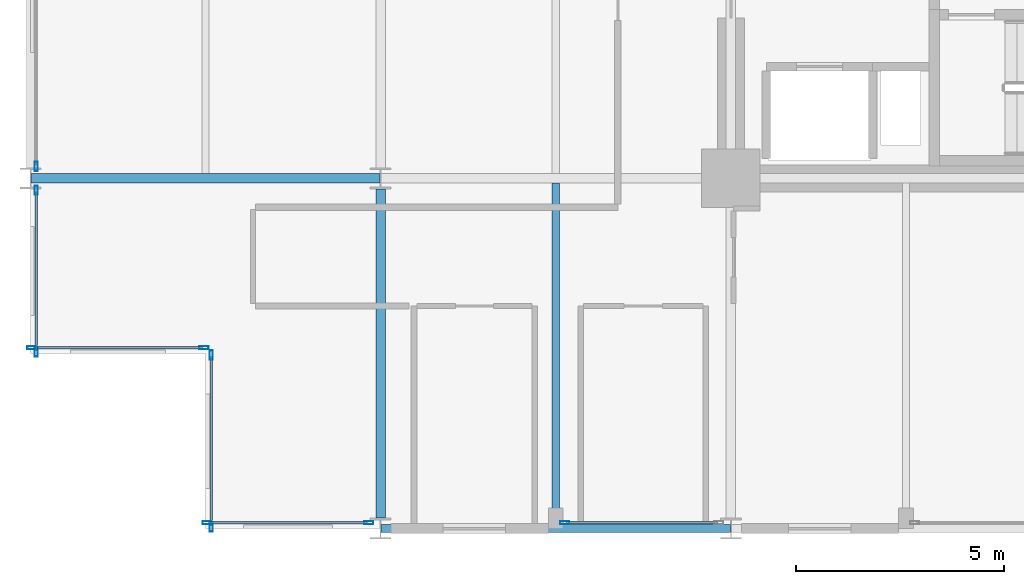
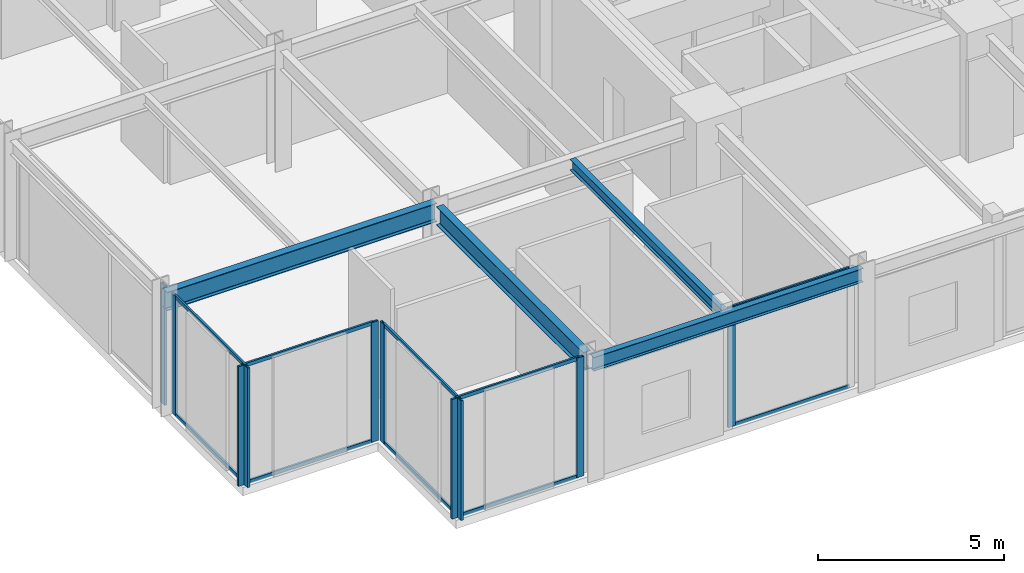
# One storey, part 2 of 24: 20 members, 4 beams, 6 elements without a shape of their own.
"""IFC4 building model written with IfcOpenShell, lengths in metres."""

from ifc_helpers import new_model, si_unit, direction, frame, origin, origin_2d, place, context, subcontext, project, spatial, hollow_rectangle, i_section, extrude, material, layer, layer_set, material_profile, profile_set, type_object, element, aggregate, save


model = new_model("IFC4")

# Units and contexts
model_context = context("Model", 3, precision=1e-05, world=origin(), true_north=direction((0.0, 1.0)))
body_context = subcontext(model_context, "Body", "Model", "MODEL_VIEW")
ifc_project = project(units=[si_unit("LENGTHUNIT", "METRE"), si_unit("AREAUNIT", "SQUARE_METRE"), si_unit("VOLUMEUNIT", "CUBIC_METRE"), si_unit("PLANEANGLEUNIT", "RADIAN"), si_unit("MASSUNIT", "GRAM", prefix="KILO")], contexts=[model_context])

# Site, building, storey
site_placement = place(None, origin())
site = spatial("IfcSite", under=ifc_project, at=site_placement, CompositionType="ELEMENT")
building_placement = place(site_placement, origin())
building = spatial("IfcBuilding", under=site, at=building_placement, Name="Nerrivon Quay Data Exchange", CompositionType="ELEMENT")
storey_placement = place(building_placement, frame((0.0, 0.0, 45.800048828125)))
storey = spatial("IfcBuildingStorey", under=building, at=storey_placement, Name="L10", CompositionType="ELEMENT", Elevation=45.800048828125)

# Beams
ifc_material_1 = material(Name="Steel Grade 350", Category="steel")
ifc_material_profile_1 = material_profile(ifc_material_1, i_section(OverallWidth=0.22900390625, OverallDepth=0.612060546875, WebThickness=0.011962890625, FlangeThickness=0.01953125, FilletRadius=0.013916015625, at=origin_2d()), Name="610UB125")
ifc_profile_set_1 = profile_set([ifc_material_profile_1], Name="Steel Grade 350")
beam_type_1 = type_object("IfcBeamType", Name="BM-G1-610UB125", PredefinedType="BEAM", material=ifc_profile_set_1)
beam_1_placement = place(storey_placement, frame((0.013916015625, 8.39990234375, 3.618896484375), z_axis=(1.0, 0.0, 0.0), x_axis=(0.0, 1.0, 0.0)))
element("IfcBeam", 1, at=beam_1_placement, inside=storey, type_object=beam_type_1, Name="L10 EW Girder Y=8.4 (0.0..8.4)", PredefinedType="BEAM", context=body_context, shape_type="SweptSolid", body=[
    extrude(i_section(OverallWidth=0.22900390625, OverallDepth=0.612060546875, WebThickness=0.011962890625, FlangeThickness=0.01953125, FilletRadius=0.013916015625, at=origin_2d()), origin(), (0.0, 0.0, 1.0), 8.3720703125),
])
ifc_material_profile_2 = material_profile(ifc_material_1, i_section(OverallWidth=0.22802734375, OverallDepth=0.60205078125, WebThickness=0.010498046875, FlangeThickness=0.014892578125, FilletRadius=0.013916015625, at=origin_2d()), Name="610UB101")
ifc_profile_set_2 = profile_set([ifc_material_profile_2], Name="Steel Grade 350")
beam_type_2 = type_object("IfcBeamType", Name="BM-G2-610UB101", PredefinedType="BEAM", material=ifc_profile_set_2)
beam_2_placement = place(storey_placement, frame((8.39990234375, 0.25, 3.6240234375), z_axis=(0.0, 1.0, 0.0), x_axis=(-1.0, 0.0, 0.0)))
element("IfcBeam", 2, at=beam_2_placement, inside=storey, type_object=beam_type_2, Name="L10 NS Girder X=8.4 (0.0..8.4)", PredefinedType="BEAM", context=body_context, shape_type="SweptSolid", body=[
    extrude(i_section(OverallWidth=0.22802734375, OverallDepth=0.60205078125, WebThickness=0.010498046875, FlangeThickness=0.014892578125, FilletRadius=0.013916015625, at=origin_2d()), origin(), (0.0, 0.0, 1.0), 7.89990234375),
])
ifc_material_profile_3 = material_profile(ifc_material_1, i_section(OverallWidth=0.172119140625, OverallDepth=0.35888671875, WebThickness=0.008056640625, FlangeThickness=0.012939453125, FilletRadius=0.011474609375, at=origin_2d()), Name="360UB56.7")
ifc_profile_set_3 = profile_set([ifc_material_profile_3], Name="Steel Grade 350")
beam_type_3 = type_object("IfcBeamType", Name="BM-J3-360UB57", PredefinedType="JOIST", material=ifc_profile_set_3)
beam_3_placement = place(storey_placement, frame((12.60009765625, 0.094970703125, 3.745361328125), z_axis=(0.0, 1.0, 0.0), x_axis=(-1.0, 0.0, 0.0)))
element("IfcBeam", 3, at=beam_3_placement, inside=storey, type_object=beam_type_3, Name="L10 Secondary Joist X=12.6 (0.0..8.4)", PredefinedType="JOIST", context=body_context, shape_type="SweptSolid", body=[
    extrude(i_section(OverallWidth=0.172119140625, OverallDepth=0.35888671875, WebThickness=0.008056640625, FlangeThickness=0.012939453125, FilletRadius=0.011474609375, at=origin_2d()), origin(), (0.0, 0.0, 1.0), 8.1904296875),
])
ifc_material_profile_4 = material_profile(ifc_material_1, i_section(OverallWidth=0.18994140625, OverallDepth=0.4541015625, WebThickness=0.008544921875, FlangeThickness=0.0126953125, FilletRadius=0.011474609375, at=origin_2d()), Name="460UB67.1")
ifc_profile_set_4 = profile_set([ifc_material_profile_4], Name="Steel Grade 350")
beam_type_4 = type_object("IfcBeamType", Name="BM-SP1-460UB67", PredefinedType="SPANDREL", material=ifc_profile_set_4)
beam_4_placement = place(storey_placement, frame((8.4140625, 0.0, 3.697998046875), z_axis=(1.0, 0.0, 0.0), x_axis=(0.0, 1.0, 0.0)))
element("IfcBeam", 4, at=beam_4_placement, inside=storey, type_object=beam_type_4, Name="L10 EW Girder Y=0.0 (8.4..16.8)", PredefinedType="SPANDREL", context=body_context, shape_type="SweptSolid", body=[
    extrude(i_section(OverallWidth=0.18994140625, OverallDepth=0.4541015625, WebThickness=0.008544921875, FlangeThickness=0.0126953125, FilletRadius=0.011474609375, at=origin_2d()), origin(), (0.0, 0.0, 1.0), 8.371826171875),
])

# Curtain wall, member
ifc_material_2 = material(Name="Anodised aluminium 6063-T6", Category="aluminium")
ifc_layer = layer(ifc_material_2, 0.219970703125)
ifc_layer_set = layer_set([ifc_layer], Name="Anodised aluminium 6063-T6")
curtain_wall_type = type_object("IfcCurtainWallType", Name="CW-SYS-01", PredefinedType="NOTDEFINED", material=ifc_layer_set)
curtain_wall_1_placement = place(storey_placement, origin())
curtain_wall_1 = element("IfcCurtainWall", 5, at=curtain_wall_1_placement, inside=storey, type_object=curtain_wall_type, Name="L10 Unitised Curtain Wall 8", PredefinedType="NOTDEFINED")
ifc_material_profile_5 = material_profile(ifc_material_2, hollow_rectangle(XDim=0.074951171875, YDim=0.219970703125, WallThickness=0.00390625, at=origin_2d()), Name="ALU-MULL-220x75")
ifc_profile_set_5 = profile_set([ifc_material_profile_5], Name="Anodised aluminium 6063-T6")
member_type_1 = type_object("IfcMemberType", Name="CWM-220x75", PredefinedType="MULLION", material=ifc_profile_set_5)
member_1_placement = place(storey_placement, frame((12.8125, 0.139892578125, 0.0), z_axis=(0.0, 0.0, 1.0), x_axis=(0.0, -1.0, 0.0)))
member_1 = element("IfcMember", 6, at=member_1_placement, type_object=member_type_1, Name="CW01 mullion 2", PredefinedType="MULLION", context=body_context, shape_type="SweptSolid", body=[
    extrude(hollow_rectangle(XDim=0.074951171875, YDim=0.219970703125, WallThickness=0.00390625, at=origin_2d()), origin(), (0.0, 0.0, 1.0), 3.925048828125),
])

# Curtain wall, members
curtain_wall_2_placement = place(storey_placement, origin())
curtain_wall_2 = element("IfcCurtainWall", 7, at=curtain_wall_2_placement, inside=storey, type_object=curtain_wall_type, Name="L10 Unitised Curtain Wall 10", PredefinedType="NOTDEFINED")
member_2_placement = place(storey_placement, frame((8.112548828125, 0.139892578125, 0.0), z_axis=(0.0, 0.0, 1.0), x_axis=(0.0, -1.0, 0.0)))
member_2 = element("IfcMember", 8, at=member_2_placement, type_object=member_type_1, Name="CW01 mullion 1", PredefinedType="MULLION", context=body_context, shape_type="SweptSolid", body=[
    extrude(hollow_rectangle(XDim=0.074951171875, YDim=0.219970703125, WallThickness=0.00390625, at=origin_2d()), origin(), (0.0, 0.0, 1.0), 3.925048828125),
])
member_3_placement = place(storey_placement, frame((4.237548828125, 0.139892578125, 0.0), z_axis=(0.0, 0.0, 1.0), x_axis=(0.0, -1.0, 0.0)))
member_3 = element("IfcMember", 9, at=member_3_placement, type_object=member_type_1, Name="CW01 mullion 2", PredefinedType="MULLION", context=body_context, shape_type="SweptSolid", body=[
    extrude(hollow_rectangle(XDim=0.074951171875, YDim=0.219970703125, WallThickness=0.00390625, at=origin_2d()), origin(), (0.0, 0.0, 1.0), 3.925048828125),
])

curtain_wall_3_placement = place(storey_placement, origin())
curtain_wall_3 = element("IfcCurtainWall", 10, at=curtain_wall_3_placement, inside=storey, type_object=curtain_wall_type, Name="L10 Unitised Curtain Wall 11", PredefinedType="NOTDEFINED")
member_4_placement = place(storey_placement, frame((4.340087890625, 0.03759765625, 0.0), z_axis=(0.0, 0.0, 1.0), x_axis=(-1.0, 0.0, 0.0)))
member_4 = element("IfcMember", 11, at=member_4_placement, type_object=member_type_1, Name="CW01 mullion 1", PredefinedType="MULLION", context=body_context, shape_type="SweptSolid", body=[
    extrude(hollow_rectangle(XDim=0.074951171875, YDim=0.219970703125, WallThickness=0.00390625, at=origin_2d()), origin(), (0.0, 0.0, 1.0), 3.925048828125),
])
member_5_placement = place(storey_placement, frame((4.340087890625, 4.16259765625, 0.0), z_axis=(0.0, 0.0, 1.0), x_axis=(-1.0, 0.0, 0.0)))
member_5 = element("IfcMember", 12, at=member_5_placement, type_object=member_type_1, Name="CW01 mullion 2", PredefinedType="MULLION", context=body_context, shape_type="SweptSolid", body=[
    extrude(hollow_rectangle(XDim=0.074951171875, YDim=0.219970703125, WallThickness=0.00390625, at=origin_2d()), origin(), (0.0, 0.0, 1.0), 3.925048828125),
])

curtain_wall_4_placement = place(storey_placement, origin())
curtain_wall_4 = element("IfcCurtainWall", 13, at=curtain_wall_4_placement, inside=storey, type_object=curtain_wall_type, Name="L10 Unitised Curtain Wall 12", PredefinedType="NOTDEFINED")
member_6_placement = place(storey_placement, frame((4.16259765625, 4.340087890625, 0.0), z_axis=(0.0, 0.0, 1.0), x_axis=(0.0, -1.0, 0.0)))
member_6 = element("IfcMember", 14, at=member_6_placement, type_object=member_type_1, Name="CW01 mullion 1", PredefinedType="MULLION", context=body_context, shape_type="SweptSolid", body=[
    extrude(hollow_rectangle(XDim=0.074951171875, YDim=0.219970703125, WallThickness=0.00390625, at=origin_2d()), origin(), (0.0, 0.0, 1.0), 3.925048828125),
])
member_7_placement = place(storey_placement, frame((0.03759765625, 4.340087890625, 0.0), z_axis=(0.0, 0.0, 1.0), x_axis=(0.0, -1.0, 0.0)))
member_7 = element("IfcMember", 15, at=member_7_placement, type_object=member_type_1, Name="CW01 mullion 2", PredefinedType="MULLION", context=body_context, shape_type="SweptSolid", body=[
    extrude(hollow_rectangle(XDim=0.074951171875, YDim=0.219970703125, WallThickness=0.00390625, at=origin_2d()), origin(), (0.0, 0.0, 1.0), 3.925048828125),
])

curtain_wall_5_placement = place(storey_placement, origin())
curtain_wall_5 = element("IfcCurtainWall", 16, at=curtain_wall_5_placement, inside=storey, type_object=curtain_wall_type, Name="L10 Unitised Curtain Wall 13", PredefinedType="NOTDEFINED")
member_8_placement = place(storey_placement, frame((0.139892578125, 4.237548828125, 0.0), z_axis=(0.0, 0.0, 1.0), x_axis=(-1.0, 0.0, 0.0)))
member_8 = element("IfcMember", 17, at=member_8_placement, type_object=member_type_1, Name="CW01 mullion 1", PredefinedType="MULLION", context=body_context, shape_type="SweptSolid", body=[
    extrude(hollow_rectangle(XDim=0.074951171875, YDim=0.219970703125, WallThickness=0.00390625, at=origin_2d()), origin(), (0.0, 0.0, 1.0), 3.925048828125),
])
member_9_placement = place(storey_placement, frame((0.139892578125, 8.112548828125, 0.0), z_axis=(0.0, 0.0, 1.0), x_axis=(-1.0, 0.0, 0.0)))
member_9 = element("IfcMember", 18, at=member_9_placement, type_object=member_type_1, Name="CW01 mullion 2", PredefinedType="MULLION", context=body_context, shape_type="SweptSolid", body=[
    extrude(hollow_rectangle(XDim=0.074951171875, YDim=0.219970703125, WallThickness=0.00390625, at=origin_2d()), origin(), (0.0, 0.0, 1.0), 3.925048828125),
])

# Curtain wall, member
curtain_wall_6_placement = place(storey_placement, origin())
curtain_wall_6 = element("IfcCurtainWall", 19, at=curtain_wall_6_placement, inside=storey, type_object=curtain_wall_type, Name="L10 Unitised Curtain Wall 14", PredefinedType="NOTDEFINED")
member_10_placement = place(storey_placement, frame((0.139892578125, 8.6875, 0.0), z_axis=(0.0, 0.0, 1.0), x_axis=(-1.0, 0.0, 0.0)))
member_10 = element("IfcMember", 20, at=member_10_placement, type_object=member_type_1, Name="CW01 mullion 1", PredefinedType="MULLION", context=body_context, shape_type="SweptSolid", body=[
    extrude(hollow_rectangle(XDim=0.074951171875, YDim=0.219970703125, WallThickness=0.00390625, at=origin_2d()), origin(), (0.0, 0.0, 1.0), 3.925048828125),
])
aggregate(curtain_wall_6, [member_10])

# Member
ifc_material_profile_6 = material_profile(ifc_material_2, hollow_rectangle(XDim=0.06005859375, YDim=0.1201171875, WallThickness=0.003173828125, at=origin_2d()), Name="ALU-TRAN-120x60")
ifc_profile_set_6 = profile_set([ifc_material_profile_6], Name="Anodised aluminium 6063-T6")
member_type_2 = type_object("IfcMemberType", Name="CWT-120x60", PredefinedType="USERDEFINED", material=ifc_profile_set_6)
member_11_placement = place(storey_placement, frame((16.47509765625, 0.139892578125, 0.032470703125), z_axis=(-1.0, 0.0, 0.0), x_axis=(0.0, -1.0, 0.0)))
member_11 = element("IfcMember", 21, at=member_11_placement, type_object=member_type_2, Name="CW01 transom 1.1", ObjectType="TRANSOM", PredefinedType="USERDEFINED", context=body_context, shape_type="SweptSolid", body=[
    extrude(hollow_rectangle(XDim=0.06005859375, YDim=0.1201171875, WallThickness=0.003173828125, at=origin_2d()), origin(), (0.0, 0.0, 1.0), 3.625),
])

member_12_placement = place(storey_placement, frame((16.47509765625, 0.139892578125, 3.892333984375), z_axis=(-1.0, 0.0, 0.0), x_axis=(0.0, -1.0, 0.0)))
member_12 = element("IfcMember", 22, at=member_12_placement, type_object=member_type_2, Name="CW01 transom 1.2", ObjectType="TRANSOM", PredefinedType="USERDEFINED", context=body_context, shape_type="SweptSolid", body=[
    extrude(hollow_rectangle(XDim=0.06005859375, YDim=0.1201171875, WallThickness=0.003173828125, at=origin_2d()), origin(), (0.0, 0.0, 1.0), 3.625),
])

aggregate(curtain_wall_1, [member_1, member_11, member_12])

member_13_placement = place(storey_placement, frame((8.074951171875, 0.139892578125, 0.032470703125), z_axis=(-1.0, 0.0, 0.0), x_axis=(0.0, -1.0, 0.0)))
member_13 = element("IfcMember", 23, at=member_13_placement, type_object=member_type_2, Name="CW01 transom 1.1", ObjectType="TRANSOM", PredefinedType="USERDEFINED", context=body_context, shape_type="SweptSolid", body=[
    extrude(hollow_rectangle(XDim=0.06005859375, YDim=0.1201171875, WallThickness=0.003173828125, at=origin_2d()), origin(), (0.0, 0.0, 1.0), 3.800048828125),
])

member_14_placement = place(storey_placement, frame((8.074951171875, 0.139892578125, 3.892333984375), z_axis=(-1.0, 0.0, 0.0), x_axis=(0.0, -1.0, 0.0)))
member_14 = element("IfcMember", 24, at=member_14_placement, type_object=member_type_2, Name="CW01 transom 1.2", ObjectType="TRANSOM", PredefinedType="USERDEFINED", context=body_context, shape_type="SweptSolid", body=[
    extrude(hollow_rectangle(XDim=0.06005859375, YDim=0.1201171875, WallThickness=0.003173828125, at=origin_2d()), origin(), (0.0, 0.0, 1.0), 3.800048828125),
])

aggregate(curtain_wall_2, [member_2, member_3, member_13, member_14])

member_15_placement = place(storey_placement, frame((4.340087890625, 0.074951171875, 0.032470703125), z_axis=(0.0, 1.0, 0.0), x_axis=(-1.0, 0.0, 0.0)))
member_15 = element("IfcMember", 25, at=member_15_placement, type_object=member_type_2, Name="CW01 transom 1.1", ObjectType="TRANSOM", PredefinedType="USERDEFINED", context=body_context, shape_type="SweptSolid", body=[
    extrude(hollow_rectangle(XDim=0.06005859375, YDim=0.1201171875, WallThickness=0.003173828125, at=origin_2d()), origin(), (0.0, 0.0, 1.0), 4.050048828125),
])

member_16_placement = place(storey_placement, frame((4.340087890625, 0.074951171875, 3.892333984375), z_axis=(0.0, 1.0, 0.0), x_axis=(-1.0, 0.0, 0.0)))
member_16 = element("IfcMember", 26, at=member_16_placement, type_object=member_type_2, Name="CW01 transom 1.2", ObjectType="TRANSOM", PredefinedType="USERDEFINED", context=body_context, shape_type="SweptSolid", body=[
    extrude(hollow_rectangle(XDim=0.06005859375, YDim=0.1201171875, WallThickness=0.003173828125, at=origin_2d()), origin(), (0.0, 0.0, 1.0), 4.050048828125),
])

aggregate(curtain_wall_3, [member_4, member_5, member_15, member_16])

member_17_placement = place(storey_placement, frame((4.125, 4.340087890625, 0.032470703125), z_axis=(-1.0, 0.0, 0.0), x_axis=(0.0, -1.0, 0.0)))
member_17 = element("IfcMember", 27, at=member_17_placement, type_object=member_type_2, Name="CW01 transom 1.1", ObjectType="TRANSOM", PredefinedType="USERDEFINED", context=body_context, shape_type="SweptSolid", body=[
    extrude(hollow_rectangle(XDim=0.06005859375, YDim=0.1201171875, WallThickness=0.003173828125, at=origin_2d()), origin(), (0.0, 0.0, 1.0), 4.050048828125),
])

member_18_placement = place(storey_placement, frame((4.125, 4.340087890625, 3.892333984375), z_axis=(-1.0, 0.0, 0.0), x_axis=(0.0, -1.0, 0.0)))
member_18 = element("IfcMember", 28, at=member_18_placement, type_object=member_type_2, Name="CW01 transom 1.2", ObjectType="TRANSOM", PredefinedType="USERDEFINED", context=body_context, shape_type="SweptSolid", body=[
    extrude(hollow_rectangle(XDim=0.06005859375, YDim=0.1201171875, WallThickness=0.003173828125, at=origin_2d()), origin(), (0.0, 0.0, 1.0), 4.050048828125),
])

aggregate(curtain_wall_4, [member_6, member_7, member_17, member_18])

member_19_placement = place(storey_placement, frame((0.139892578125, 4.27490234375, 0.032470703125), z_axis=(0.0, 1.0, 0.0), x_axis=(-1.0, 0.0, 0.0)))
member_19 = element("IfcMember", 29, at=member_19_placement, type_object=member_type_2, Name="CW01 transom 1.1", ObjectType="TRANSOM", PredefinedType="USERDEFINED", context=body_context, shape_type="SweptSolid", body=[
    extrude(hollow_rectangle(XDim=0.06005859375, YDim=0.1201171875, WallThickness=0.003173828125, at=origin_2d()), origin(), (0.0, 0.0, 1.0), 3.800048828125),
])

member_20_placement = place(storey_placement, frame((0.139892578125, 4.27490234375, 3.892333984375), z_axis=(0.0, 1.0, 0.0), x_axis=(-1.0, 0.0, 0.0)))
member_20 = element("IfcMember", 30, at=member_20_placement, type_object=member_type_2, Name="CW01 transom 1.2", ObjectType="TRANSOM", PredefinedType="USERDEFINED", context=body_context, shape_type="SweptSolid", body=[
    extrude(hollow_rectangle(XDim=0.06005859375, YDim=0.1201171875, WallThickness=0.003173828125, at=origin_2d()), origin(), (0.0, 0.0, 1.0), 3.800048828125),
])

aggregate(curtain_wall_5, [member_8, member_9, member_19, member_20])

save(model, "model.ifc")
